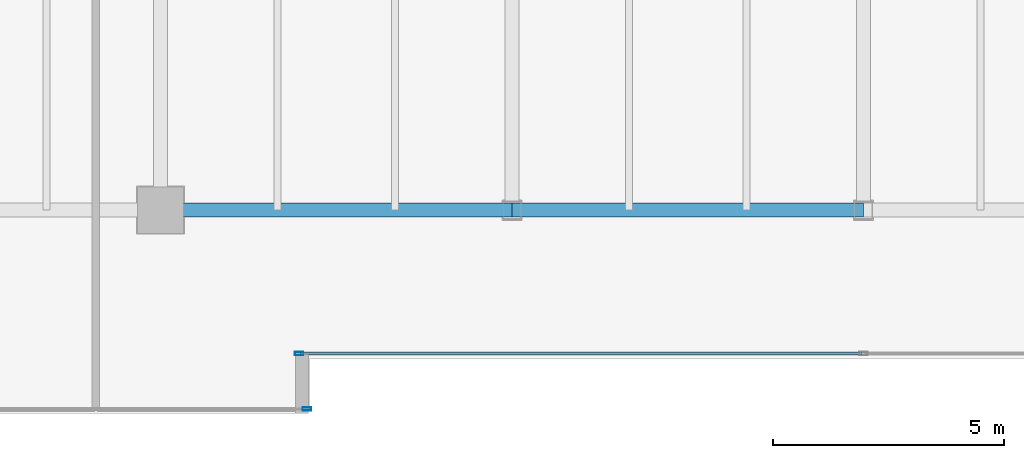
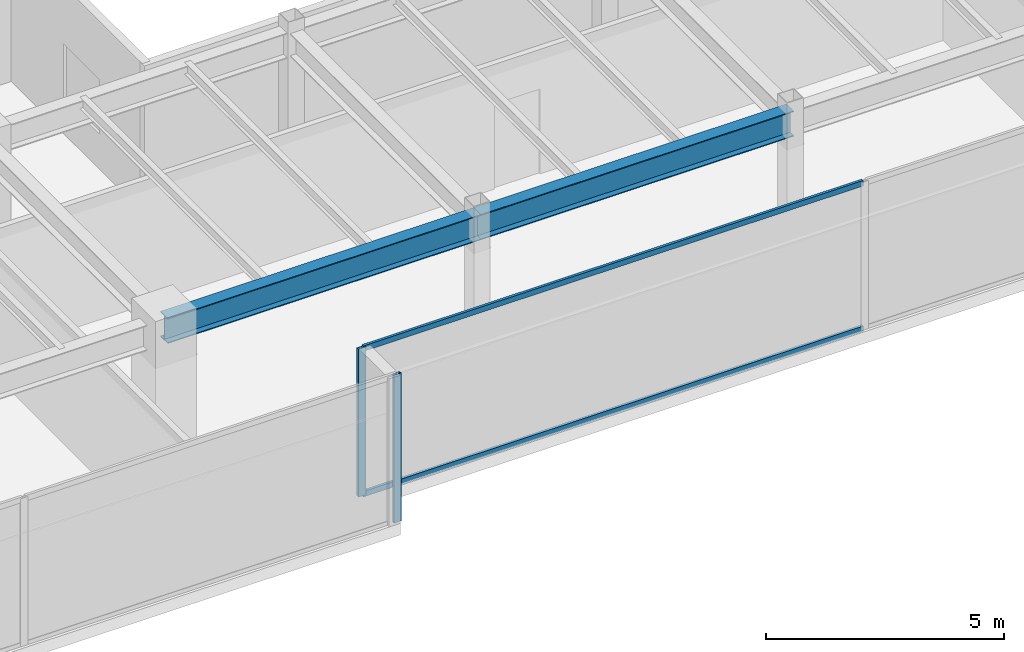
# One storey, part 7 of 35: 4 members, 2 beams, 2 elements without a shape of their own.
"""IFC4 building model written with IfcOpenShell, lengths in metres."""

import ifcopenshell
import ifcopenshell.guid

model = None  # the IFC model being written
_history = None  # IfcOwnerHistory: only IFC2X3 demands one
_inside = {}  # id of a spatial element -> (the spatial element, [elements in it])
_under = {}  # id of a project, library or spatial element -> (it, [spatial elements below it])
_declared = {}  # id of a project -> (the project, [libraries it declares])
_typed = {}  # id of a type object -> (the type object, [elements of that type])
_made_of = {}  # id of a material, layer set ... -> (it, [elements and type objects made of it])


def new_model(schema):
    """Start an empty IFC model of exactly this schema.

    Asked for "IFC4X3", IfcOpenShell would pick the latest addendum, in which some entities
    have other attributes; the version numbers below select the first issue.
    IFC2X3 requires an IfcOwnerHistory on every rooted entity: one is made here for all.
    """
    global model, _history
    if schema == "IFC4X3":
        model = ifcopenshell.file(schema_version=(4, 3, 0, 0))
    else:
        model = ifcopenshell.file(schema=schema)
    _inside.clear()
    _under.clear()
    _declared.clear()
    _typed.clear()
    _made_of.clear()
    _history = None
    if model.schema == "IFC2X3":
        org = make("IfcOrganization", Name="unknown")
        user = make(
            "IfcPersonAndOrganization",
            ThePerson=make("IfcPerson", FamilyName="unknown"),
            TheOrganization=org,
        )
        app = make(
            "IfcApplication",
            ApplicationDeveloper=org,
            Version="unknown",
            ApplicationFullName="unknown",
            ApplicationIdentifier="unknown",
        )
        _history = make(
            "IfcOwnerHistory",
            OwningUser=user,
            OwningApplication=app,
            ChangeAction="ADDED",
            CreationDate=0,
        )
    return model


def make(cls, **values):
    """One entity of the class cls with the attributes given. An attribute that is None is left unset."""
    return model.create_entity(
        cls, **{name: value for name, value in values.items() if value is not None}
    )


def rooted(cls, **values):
    """An entity with a GlobalId (a new one), such as an element, a storey or a relation."""
    return make(cls, GlobalId=ifcopenshell.guid.new(), OwnerHistory=_history, **values)


def si_unit(unit_type, name, prefix=None):
    """IfcSIUnit, for example si_unit("LENGTHUNIT", "METRE", prefix="MILLI")."""
    return make("IfcSIUnit", UnitType=unit_type, Prefix=prefix, Name=name)


def assignment(units):
    """IfcUnitAssignment: the units of a project."""
    return None if units is None else make("IfcUnitAssignment", Units=units)


def point(xyz):
    """IfcCartesianPoint."""
    return None if xyz is None else make("IfcCartesianPoint", Coordinates=xyz)


def direction(xyz):
    """IfcDirection."""
    return None if xyz is None else make("IfcDirection", DirectionRatios=xyz)


def frame(location, z_axis=None, x_axis=None):
    """IfcAxis2Placement3D, a coordinate frame: its origin and axes. An axis left out is left unset."""
    return make(
        "IfcAxis2Placement3D",
        Location=point(location),
        Axis=direction(z_axis),
        RefDirection=direction(x_axis),
    )


def frame_2d(location, x_axis=None):
    """IfcAxis2Placement2D, a coordinate frame in the plane: its origin and x axis."""
    return make(
        "IfcAxis2Placement2D", Location=point(location), RefDirection=direction(x_axis)
    )


def origin():
    """The frame at (0, 0, 0) with its axes left unset."""
    return frame((0.0, 0.0, 0.0))


def origin_2d():
    """The frame at (0, 0) in the plane with its x axis left unset."""
    return frame_2d((0.0, 0.0))


def place(relative_to, where):
    """IfcLocalPlacement: puts the frame where relative to a parent placement (None: the world)."""
    return make(
        "IfcLocalPlacement", PlacementRelTo=relative_to, RelativePlacement=where
    )


def context(
    kind, dimensions, precision=None, world=None, true_north=None, identifier=None
):
    """IfcGeometricRepresentationContext, for example the 3D "Model" context."""
    return make(
        "IfcGeometricRepresentationContext",
        ContextIdentifier=identifier,
        ContextType=kind,
        CoordinateSpaceDimension=dimensions,
        Precision=precision,
        WorldCoordinateSystem=world,
        TrueNorth=true_north,
    )


def subcontext(parent, identifier, kind, view, scale=None):
    """IfcGeometricRepresentationSubContext, for example "Body" below "Model"."""
    return make(
        "IfcGeometricRepresentationSubContext",
        ContextIdentifier=identifier,
        ContextType=kind,
        ParentContext=parent,
        TargetScale=scale,
        TargetView=view,
    )


def project(units=None, contexts=None):
    """IfcProject with its units and contexts."""
    return rooted(
        "IfcProject",
        Name="project",
        RepresentationContexts=contexts,
        UnitsInContext=assignment(units),
    )


def spatial(cls, under=None, at=None, **own):
    """A site, building, storey or space (cls), placed at a placement, below another one or the project."""
    s = rooted(cls, ObjectPlacement=at, **own)
    if under is not None:
        _under.setdefault(under.id(), (under, []))[1].append(s)
    return s


def profile(cls, at=None, kind="AREA", **sizes):
    """A parametric profile (cls). Its sizes go by their IFC names, for example OverallWidth=200.0."""
    return make(cls, ProfileType=kind, Position=at, **sizes)


def hollow_rectangle(**sizes):
    """IfcRectangleHollowProfileDef."""
    return profile("IfcRectangleHollowProfileDef", **sizes)


def i_section(**sizes):
    """IfcIShapeProfileDef."""
    return profile("IfcIShapeProfileDef", **sizes)


def extrude(swept, where, along, depth):
    """IfcExtrudedAreaSolid: the profile swept, set in the frame where, extruded along a direction by depth."""
    return make(
        "IfcExtrudedAreaSolid",
        SweptArea=swept,
        Position=where,
        ExtrudedDirection=direction(along),
        Depth=depth,
    )


def shape(context_of_items, identifier, shape_type, items):
    """IfcShapeRepresentation: the items that make up one representation, for example the "Body"."""
    return make(
        "IfcShapeRepresentation",
        ContextOfItems=context_of_items,
        RepresentationIdentifier=identifier,
        RepresentationType=shape_type,
        Items=items,
    )


def source(mapping_origin, context_of_items, identifier, shape_type, items):
    """IfcRepresentationMap: a shape defined once, which mapped items show again and again."""
    return make(
        "IfcRepresentationMap",
        MappingOrigin=mapping_origin,
        MappedRepresentation=shape(context_of_items, identifier, shape_type, items),
    )


def transform(
    local_origin,
    x_axis=None,
    y_axis=None,
    z_axis=None,
    scale=None,
    scale2=None,
    scale3=None,
    uniform=True,
):
    """IfcCartesianTransformationOperator3D, or its non-uniform kind. x_axis, y_axis, z_axis: its Axis1, 2, 3."""
    if uniform:
        return make(
            "IfcCartesianTransformationOperator3D",
            Axis1=direction(x_axis),
            Axis2=direction(y_axis),
            LocalOrigin=point(local_origin),
            Scale=scale,
            Axis3=direction(z_axis),
        )
    return make(
        "IfcCartesianTransformationOperator3DnonUniform",
        Axis1=direction(x_axis),
        Axis2=direction(y_axis),
        LocalOrigin=point(local_origin),
        Scale=scale,
        Axis3=direction(z_axis),
        Scale2=scale2,
        Scale3=scale3,
    )


def mapped(mapping_source, mapping_target):
    """IfcMappedItem: shows the shape of a source again, moved by a transform."""
    return make(
        "IfcMappedItem", MappingSource=mapping_source, MappingTarget=mapping_target
    )


def material(Name=None, Category=None):
    """IfcMaterial."""
    return make("IfcMaterial", Name=Name, Category=Category)


def layer(
    of_material, thickness, ventilated=None, Name=None, Category=None, Priority=None
):
    """IfcMaterialLayer: one layer of a wall or slab, of a material (None: an air gap)."""
    return make(
        "IfcMaterialLayer",
        Material=of_material,
        LayerThickness=thickness,
        IsVentilated=ventilated,
        Name=Name,
        Category=Category,
        Priority=Priority,
    )


def layer_set(layers, Name=None):
    """IfcMaterialLayerSet."""
    return make("IfcMaterialLayerSet", MaterialLayers=layers, LayerSetName=Name)


def material_profile(
    of_material, cross_section, Name=None, Category=None, Priority=None
):
    """IfcMaterialProfile: a cross section and its material."""
    return make(
        "IfcMaterialProfile",
        Name=Name,
        Material=of_material,
        Profile=cross_section,
        Priority=Priority,
        Category=Category,
    )


def profile_set(profiles, Name=None, composite=None):
    """IfcMaterialProfileSet."""
    return make(
        "IfcMaterialProfileSet",
        Name=Name,
        MaterialProfiles=profiles,
        CompositeProfile=composite,
    )


def made_of(thing, what):
    """Note that an element or type object is made of a material, layer set ...; save() writes the relation."""
    if what is not None:
        _made_of.setdefault(what.id(), (what, []))[1].append(thing)
    return thing


def type_object(cls, material=None, **own):
    """A type object (cls), such as IfcWallType, which elements share."""
    return made_of(rooted(cls, **own), material)


def type_shapes(of_type, sources):
    """Give a type object the sources (RepresentationMaps) that its elements show as mapped items."""
    of_type.RepresentationMaps = sources


def element(
    cls,
    number,
    at=None,
    inside=None,
    cuts=None,
    type_object=None,
    material=None,
    context=None,
    identifier="Body",
    shape_type=None,
    held_by="IfcProductDefinitionShape",
    body=None,
    shapes=None,
    **own,
):
    """One element of the class cls, such as IfcWall. Its Tag is "e" and its number.

    at: its placement. inside: the storey or other place that contains it. cuts: it is an
    opening in that element (IfcRelVoidsElement). A single representation is given by context,
    identifier, shape_type and body (its items); several are given by shapes. held_by: the class
    of the entity that holds the representations. save() writes the other relations.
    """
    e = rooted(cls, Tag="e%d" % number, ObjectPlacement=at, **own)
    if body is not None:
        shapes = [shape(context, identifier, shape_type, body)]
    if shapes is not None:
        e.Representation = make(held_by, Representations=shapes)
    if inside is not None:
        _inside.setdefault(inside.id(), (inside, []))[1].append(e)
    if cuts is not None:
        rooted(
            "IfcRelVoidsElement", RelatingBuildingElement=cuts, RelatedOpeningElement=e
        )
    if type_object is not None:
        _typed.setdefault(type_object.id(), (type_object, []))[1].append(e)
    return made_of(e, material)


def aggregate(whole, parts):
    """IfcRelAggregates: a whole, such as a stair, and the parts it consists of."""
    return rooted("IfcRelAggregates", RelatingObject=whole, RelatedObjects=parts)


def save(model, path):
    """Write the relations noted so far, then the file.

    IfcRelAggregates (storeys below a building ...), IfcRelContainedInSpatialStructure (elements
    in a storey), IfcRelDefinesByType, IfcRelAssociatesMaterial and IfcRelDeclares: one each for
    every whole, place, type object, material and project.
    """
    for whole, parts in _under.values():
        aggregate(whole, parts)
    for where, things in _inside.values():
        rooted(
            "IfcRelContainedInSpatialStructure",
            RelatedElements=things,
            RelatingStructure=where,
        )
    for kind, things in _typed.values():
        rooted("IfcRelDefinesByType", RelatedObjects=things, RelatingType=kind)
    for what, things in _made_of.values():
        rooted("IfcRelAssociatesMaterial", RelatedObjects=things, RelatingMaterial=what)
    for by, libraries in _declared.values():
        rooted("IfcRelDeclares", RelatingContext=by, RelatedDefinitions=libraries)
    model.write(path)


model = new_model("IFC4")

# Units and contexts
model_context = context("Model", 3, precision=1e-05, world=origin(), true_north=direction((0.0, 1.0)))
body_context = subcontext(model_context, "Body", "Model", "MODEL_VIEW")
ifc_project = project(units=[si_unit("LENGTHUNIT", "METRE"), si_unit("AREAUNIT", "SQUARE_METRE"), si_unit("VOLUMEUNIT", "CUBIC_METRE"), si_unit("PLANEANGLEUNIT", "RADIAN"), si_unit("MASSUNIT", "GRAM", prefix="KILO")], contexts=[model_context])

# Site, building, storey
site_placement = place(None, origin())
site = spatial("IfcSite", under=ifc_project, at=site_placement, CompositionType="ELEMENT")
building_placement = place(site_placement, origin())
building = spatial("IfcBuilding", under=site, at=building_placement, Name="Haelvirn Gate Laboratories", CompositionType="ELEMENT")
storey_placement = place(building_placement, frame((0.0, 0.0, 234.199951171875)))
storey = spatial("IfcBuildingStorey", under=building, at=storey_placement, Name="L56", CompositionType="ELEMENT", Elevation=234.199951171875)

# Beams
ifc_material_1 = material(Name="Steel SM355", Category="steel")
ifc_material_profile_1 = material_profile(ifc_material_1, i_section(OverallWidth=0.300048828125, OverallDepth=0.64990234375, WebThickness=0.012939453125, FlangeThickness=0.02197265625, at=origin_2d()), Name="H-650x300x13x22")
ifc_profile_set_1 = profile_set([ifc_material_profile_1], Name="Steel SM355")
beam_type = type_object("IfcBeamType", Name="BM-G-650", PredefinedType="BEAM", material=ifc_profile_set_1)
shared_shape_1 = source(origin(), body_context, "Body", "SweptSolid", [
    extrude(i_section(OverallWidth=0.300048828125, OverallDepth=0.64990234375, WebThickness=0.012939453125, FlangeThickness=0.02197265625, at=origin_2d()), origin(), (0.0, 0.0, 1.0), 7.60009765625),
])
beam_1_placement = place(storey_placement, frame((22.199951171875, 7.0, 3.47509765625), z_axis=(1.0, 0.0, 0.0), x_axis=(0.0, 1.0, 0.0)))
element("IfcBeam", 1, at=beam_1_placement, inside=storey, type_object=beam_type, Name="L56 Primary Girder Y7.0 (22.2-29.8)", PredefinedType="BEAM", context=body_context, shape_type="MappedRepresentation", body=[
    mapped(shared_shape_1, transform((0.0, 0.0, 0.0), scale=1.0)),
])
shared_shape_2 = source(origin(), body_context, "Body", "SweptSolid", [
    extrude(i_section(OverallWidth=0.300048828125, OverallDepth=0.64990234375, WebThickness=0.012939453125, FlangeThickness=0.02197265625, at=origin_2d()), origin(), (0.0, 0.0, 1.0), 7.599853515625),
])
type_shapes(beam_type, [shared_shape_1, shared_shape_2])
beam_2_placement = place(storey_placement, frame((29.800048828125, 7.0, 3.47509765625), z_axis=(1.0, 0.0, 0.0), x_axis=(0.0, 1.0, 0.0)))
element("IfcBeam", 2, at=beam_2_placement, inside=storey, type_object=beam_type, Name="L56 Primary Girder Y7.0 (29.8-37.4)", PredefinedType="BEAM", context=body_context, shape_type="MappedRepresentation", body=[
    mapped(shared_shape_2, transform((0.0, 0.0, 0.0), scale=1.0)),
])

# Curtain wall, members
ifc_material_2 = material(Name="Anodised bronze unitised aluminium & triple low-E glass", Category="aluminium")
ifc_layer = layer(ifc_material_2, 0.176025390625, Name="CW-SYS-4")
ifc_layer_set = layer_set([ifc_layer], Name="Anodised bronze unitised aluminium & triple low-E glass")
curtain_wall_type = type_object("IfcCurtainWallType", Name="CW-SYS-4", PredefinedType="NOTDEFINED", material=ifc_layer_set)
curtain_wall_1_placement = place(storey_placement, origin())
curtain_wall_1 = element("IfcCurtainWall", 3, at=curtain_wall_1_placement, inside=storey, type_object=curtain_wall_type, Name="L56 Unitised Curtain Wall CW-L56-P0-E02-1", PredefinedType="NOTDEFINED")
ifc_material_3 = material(Name="Extruded aluminium 6063-T6 (anodised bronze)", Category="aluminium")
ifc_material_profile_2 = material_profile(ifc_material_3, hollow_rectangle(XDim=0.06494140625, YDim=0.139892578125, WallThickness=0.00390625, at=origin_2d()), Name="CWT-140x65x4")
ifc_profile_set_2 = profile_set([ifc_material_profile_2], Name="Extruded aluminium 6063-T6 (anodised bronze)")
member_type_1 = type_object("IfcMemberType", Name="CWT-T140", PredefinedType="USERDEFINED", material=ifc_profile_set_2)
shared_shape_3 = source(origin(), body_context, "Body", "SweptSolid", [
    extrude(hollow_rectangle(XDim=0.06494140625, YDim=0.139892578125, WallThickness=0.00390625, at=origin_2d()), origin(), (0.0, 0.0, 1.0), 12.135009765625),
])
type_shapes(member_type_1, [shared_shape_3])
member_1_placement = place(storey_placement, frame((25.22998046875, 3.89990234375, 0.032470703125), z_axis=(1.0, 0.0, 0.0), x_axis=(0.0, 1.0, 0.0)))
member_1 = element("IfcMember", 4, at=member_1_placement, type_object=member_type_1, Name="CW4 transom 1.1", ObjectType="TRANSOM", PredefinedType="USERDEFINED", context=body_context, shape_type="MappedRepresentation", body=[
    mapped(shared_shape_3, transform((0.0, 0.0, 0.0), scale=1.0)),
])
member_2_placement = place(storey_placement, frame((25.22998046875, 3.89990234375, 3.767578125), z_axis=(1.0, 0.0, 0.0), x_axis=(0.0, 1.0, 0.0)))
member_2 = element("IfcMember", 5, at=member_2_placement, type_object=member_type_1, Name="CW4 transom 1.2", ObjectType="TRANSOM", PredefinedType="USERDEFINED", context=body_context, shape_type="MappedRepresentation", body=[
    mapped(shared_shape_3, transform((0.0, 0.0, 0.0), scale=1.0)),
])

# Curtain wall, member
curtain_wall_2_placement = place(storey_placement, origin())
curtain_wall_2 = element("IfcCurtainWall", 6, at=curtain_wall_2_placement, inside=storey, type_object=curtain_wall_type, Name="L56 Unitised Curtain Wall CW-L56-P0-E00-1", PredefinedType="NOTDEFINED")
ifc_material_profile_3 = material_profile(ifc_material_3, hollow_rectangle(XDim=0.070068359375, YDim=0.179931640625, WallThickness=0.0048828125, at=origin_2d()), Name="CWM-180x70x5")
ifc_profile_set_3 = profile_set([ifc_material_profile_3], Name="Extruded aluminium 6063-T6 (anodised bronze)")
member_type_2 = type_object("IfcMemberType", Name="CWM-T180", PredefinedType="MULLION", material=ifc_profile_set_3)
shared_shape_4 = source(origin(), body_context, "Body", "SweptSolid", [
    extrude(hollow_rectangle(XDim=0.070068359375, YDim=0.179931640625, WallThickness=0.0048828125, at=origin_2d()), origin(), (0.0, 0.0, 1.0), 3.800048828125),
])
type_shapes(member_type_2, [shared_shape_4])
member_3_placement = place(storey_placement, frame((25.364990234375, 2.699951171875, 0.0), z_axis=(0.0, 0.0, 1.0), x_axis=(0.0, 1.0, 0.0)))
member_3 = element("IfcMember", 7, at=member_3_placement, type_object=member_type_2, Name="CW4 mullion 3", PredefinedType="MULLION", context=body_context, shape_type="MappedRepresentation", body=[
    mapped(shared_shape_4, transform((0.0, 0.0, 0.0), scale=1.0)),
])
aggregate(curtain_wall_2, [member_3])

# Member
member_4_placement = place(storey_placement, frame((25.195068359375, 3.89990234375, 0.0), z_axis=(0.0, 0.0, 1.0), x_axis=(0.0, 1.0, 0.0)))
member_4 = element("IfcMember", 8, at=member_4_placement, type_object=member_type_2, Name="CW4 mullion 1", PredefinedType="MULLION", context=body_context, shape_type="MappedRepresentation", body=[
    mapped(shared_shape_4, transform((0.0, 0.0, 0.0), scale=1.0)),
])

aggregate(curtain_wall_1, [member_4, member_1, member_2])

save(model, "model.ifc")
